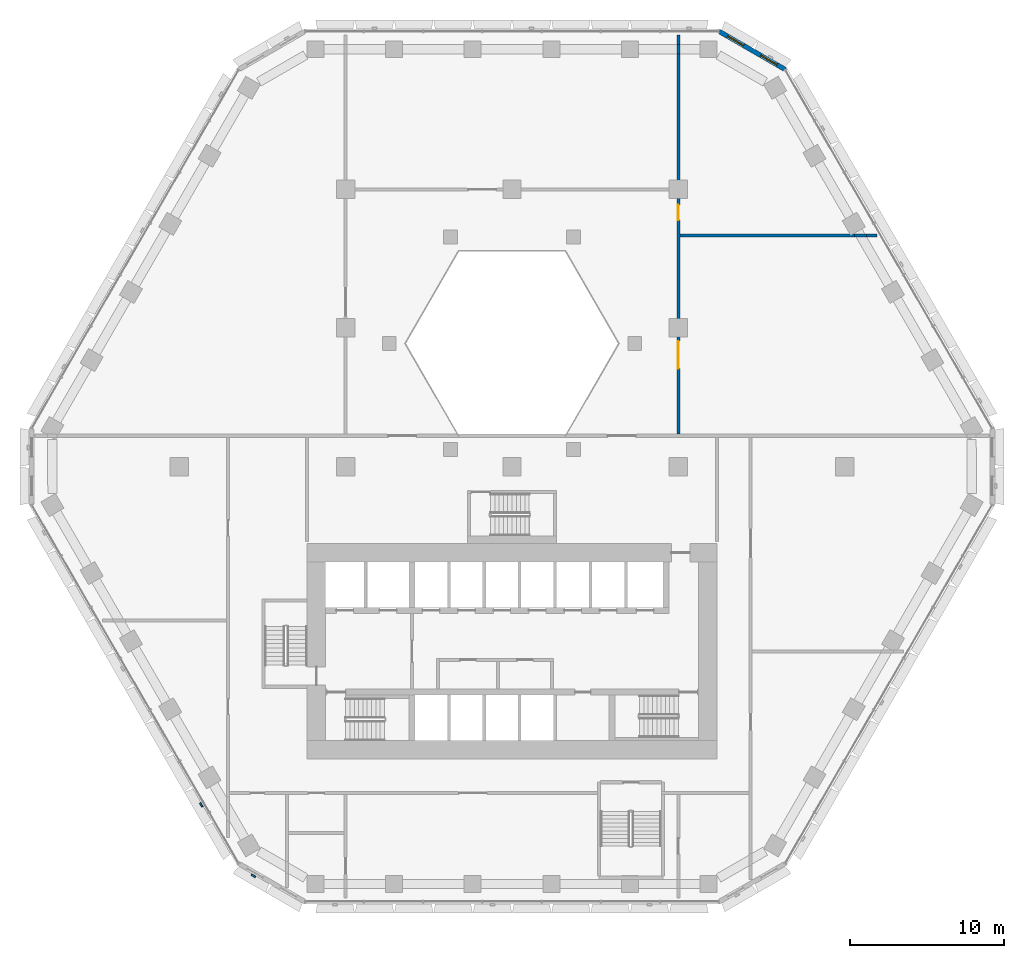
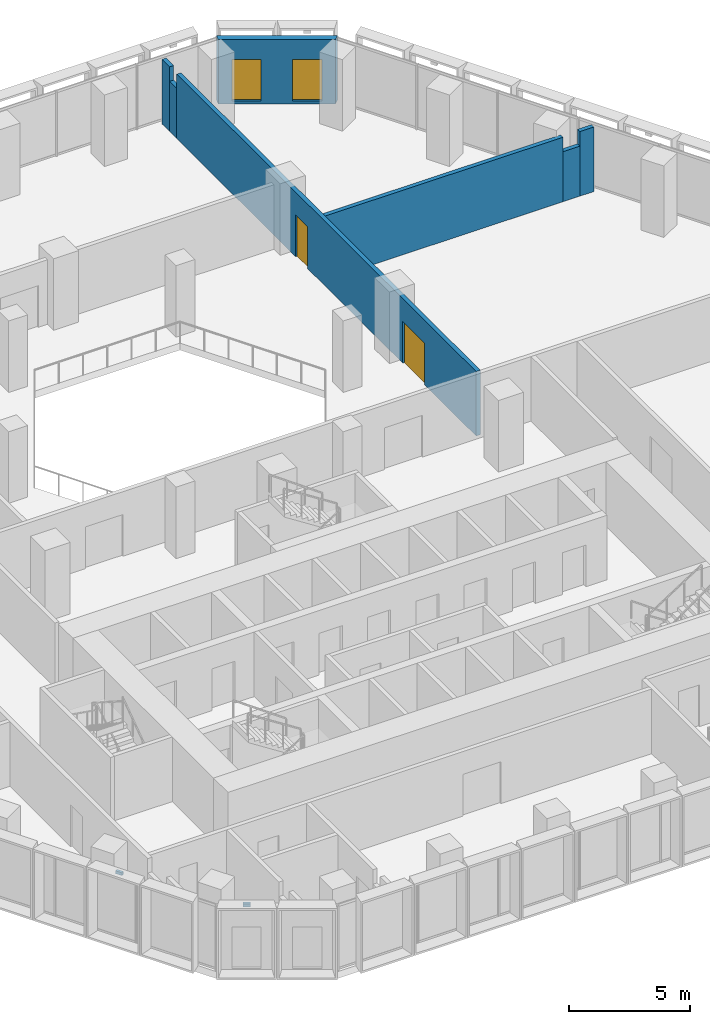
# One storey, part 14 of 25: 7 walls, 2 discrete accessories, 2 doors, 2 windows, 4 openings.
"""IFC4 building model written with IfcOpenShell, lengths in metres."""

from ifc_helpers import new_model, si_unit, direction, frame, frame_2d, origin, place, context, subcontext, project, spatial, polyline, rectangle, outline, extrude, source, transform, mapped, material, layer, layer_set, type_object, type_shapes, element, fill, save


model = new_model("IFC4")

# Units and contexts
model_context = context("Model", 3, precision=1e-05, world=origin(), true_north=direction((0.0, 1.0)))
body_context = subcontext(model_context, "Body", "Model", "MODEL_VIEW")
ifc_project = project(units=[si_unit("LENGTHUNIT", "METRE"), si_unit("AREAUNIT", "SQUARE_METRE"), si_unit("VOLUMEUNIT", "CUBIC_METRE"), si_unit("PLANEANGLEUNIT", "RADIAN"), si_unit("MASSUNIT", "GRAM", prefix="KILO")], contexts=[model_context])

# Site, building, storey
site_placement = place(None, origin())
site = spatial("IfcSite", under=ifc_project, at=site_placement, CompositionType="ELEMENT")
building_placement = place(site_placement, origin())
building = spatial("IfcBuilding", under=site, at=building_placement, Name="Beryl Residences", CompositionType="ELEMENT")
storey_placement = place(building_placement, frame((0.0, 0.0, 16.199951171875)))
storey = spatial("IfcBuildingStorey", under=building, at=storey_placement, Name="L04", CompositionType="ELEMENT", Elevation=16.199951171875)

# Wall, openings, windows
ifc_material_1 = material(Name="Composite metal panel with mineral wool insulation")
ifc_layer_1 = layer(ifc_material_1, 0.300048828125)
ifc_layer_set_1 = layer_set([ifc_layer_1], Name="ES1 pale metal composite panel wall 300 mm")
wall_type_1 = type_object("IfcWallType", Name="ES1 pale metal composite panel wall 300 mm", PredefinedType="SOLIDWALL", material=ifc_layer_set_1)
wall_1_placement = place(storey_placement, frame((17.764892578125, 25.77001953125, 0.0), z_axis=(0.0, 0.0, 1.0), x_axis=(-0.866010750942, 0.50002537861, 0.0)))
wall_1 = element("IfcWall", 1, at=wall_1_placement, inside=storey, type_object=wall_type_1, Name="ES1 external wall L04 NE-N", PredefinedType="SOLIDWALL", context=body_context, shape_type="SweptSolid", body=[
    extrude(outline(polyline([(0.0, -0.14990234375), (4.999755859375, -0.14990234375), (4.91943359375, 0.14990234375), (0.080322265625, 0.14990234375), (0.0, -0.14990234375)])), origin(), (0.0, 0.0, 1.0), 3.25),
])
opening_1_placement = place(wall_1_placement, frame((0.64990234375, 0.0, 0.14990234375)))
opening_1 = element("IfcOpeningElement", 2, at=opening_1_placement, cuts=wall_1, Name="Opening W2", PredefinedType="OPENING", context=body_context, shape_type="SweptSolid", body=[
    extrude(rectangle(XDim=1.199951171875, YDim=2.10009765625, at=frame_2d((0.60009765625, 1.050048828125))), frame((0.0, 0.159912109375, 0.0), z_axis=(0.0, -1.0, 0.0), x_axis=(1.0, 0.0, 0.0)), (0.0, 0.0, 1.0), 0.320068359375),
])
opening_2_placement = place(wall_1_placement, frame((3.14990234375, 0.0, 0.14990234375)))
opening_2 = element("IfcOpeningElement", 3, at=opening_2_placement, cuts=wall_1, Name="Opening W2", PredefinedType="OPENING", context=body_context, shape_type="SweptSolid", body=[
    extrude(rectangle(XDim=1.199951171875, YDim=2.10009765625, at=frame_2d((0.60009765625, 1.050048828125))), frame((0.0, 0.159912109375, 0.0), z_axis=(0.0, -1.0, 0.0), x_axis=(1.0, 0.0, 0.0)), (0.0, 0.0, 1.0), 0.320068359375),
])
ifc_material_2 = material(Name="Aluminium and clear glass", Category="aluminium")
window_type = type_object("IfcWindowType", Name="W2 chamfer window 1200 x 2100 mm", PartitioningType="SINGLE_PANEL", PredefinedType="WINDOW", material=ifc_material_2)
window_1_placement = place(opening_1_placement, origin())
window_1 = element("IfcWindow", 4, at=window_1_placement, inside=storey, type_object=window_type, Name="W2 window L04 NE-N 1", OverallHeight=2.10009765625, OverallWidth=1.199951171875, PartitioningType="SINGLE_PANEL", PredefinedType="WINDOW", context=body_context, shape_type="SweptSolid", body=[
    extrude(rectangle(XDim=1.199951171875, YDim=2.10009765625, at=frame_2d((0.60009765625, 1.050048828125))), frame((0.0, 0.030029296875, 0.0), z_axis=(0.0, -1.0, 0.0), x_axis=(1.0, 0.0, 0.0)), (0.0, 0.0, 1.0), 0.06005859375),
])
fill(opening_1, window_1)
window_2_placement = place(opening_2_placement, origin())
window_2 = element("IfcWindow", 5, at=window_2_placement, inside=storey, type_object=window_type, Name="W2 window L04 NE-N 2", OverallHeight=2.10009765625, OverallWidth=1.199951171875, PartitioningType="SINGLE_PANEL", PredefinedType="WINDOW", context=body_context, shape_type="SweptSolid", body=[
    extrude(rectangle(XDim=1.199951171875, YDim=2.10009765625, at=frame_2d((0.60009765625, 1.050048828125))), frame((0.0, 0.030029296875, 0.0), z_axis=(0.0, -1.0, 0.0), x_axis=(1.0, 0.0, 0.0)), (0.0, 0.0, 1.0), 0.06005859375),
])
fill(opening_2, window_2)

# Walls
ifc_material_3 = material(Name="Double stud gypsum board wall")
ifc_layer_2 = layer(ifc_material_3, 0.199951171875)
ifc_layer_set_2 = layer_set([ifc_layer_2], Name="PT4 corridor wall 200 mm double stud")
wall_type_2 = type_object("IfcWallType", Name="PT4 corridor wall 200 mm double stud", PredefinedType="PARTITIONING", material=ifc_layer_set_2)
wall_2_placement = place(storey_placement, frame((10.89990234375, 15.0, 0.0), z_axis=(0.0, 0.0, 1.0), x_axis=(1.0, 0.0, 0.0)))
element("IfcWall", 6, at=wall_2_placement, inside=storey, type_object=wall_type_2, Name="Wall PT4 L04 013", PredefinedType="PARTITIONING", context=body_context, shape_type="SweptSolid", body=[
    extrude(rectangle(XDim=11.328125, YDim=0.199951171875, at=frame_2d((5.6640625, 0.0))), origin(), (0.0, 0.0, 1.0), 3.25),
])
wall_3_placement = place(storey_placement, frame((22.22802734375, 15.0, 0.0), z_axis=(0.0, 0.0, 1.0), x_axis=(1.0, 0.0, 0.0)))
element("IfcWall", 7, at=wall_3_placement, inside=storey, type_object=wall_type_2, Name="Wall PT4 L04 014", PredefinedType="PARTITIONING", context=body_context, shape_type="SweptSolid", body=[
    extrude(rectangle(XDim=0.80908203125, YDim=0.199951171875, at=frame_2d((0.404541015625, 0.0))), origin(), (0.0, 0.0, 1.0), 2.52001953125),
])
wall_4_placement = place(storey_placement, frame((23.037109375, 15.0, 0.0), z_axis=(0.0, 0.0, 1.0), x_axis=(1.0, 0.0, 0.0)))
element("IfcWall", 8, at=wall_4_placement, inside=storey, type_object=wall_type_2, Name="Wall PT4 L04 015", PredefinedType="PARTITIONING", context=body_context, shape_type="SweptSolid", body=[
    extrude(rectangle(XDim=0.656982421875, YDim=0.199951171875, at=frame_2d((0.32861328125, 0.0))), origin(), (0.0, 0.0, 1.0), 3.25),
])

# Wall, openings, doors
wall_5_placement = place(storey_placement, frame((10.800048828125, 2.10009765625, 0.0), z_axis=(0.0, 0.0, 1.0), x_axis=(0.0, 1.0, 0.0)))
wall_5 = element("IfcWall", 9, at=wall_5_placement, inside=storey, type_object=wall_type_2, Name="Wall PT4 L04 024", PredefinedType="PARTITIONING", context=body_context, shape_type="SweptSolid", body=[
    extrude(rectangle(XDim=24.699951171875, YDim=0.199951171875, at=frame_2d((12.35009765625, 0.0))), origin(), (0.0, 0.0, 1.0), 3.25),
])
opening_3_placement = place(wall_5_placement, frame((6.053955078125, 0.0, 0.0), z_axis=(0.0, 0.0, 1.0), x_axis=(-1.0, 0.0, 0.0)))
opening_3 = element("IfcOpeningElement", 10, at=opening_3_placement, cuts=wall_5, Name="Opening L04-10", PredefinedType="OPENING", context=body_context, shape_type="SweptSolid", body=[
    extrude(rectangle(XDim=1.800048828125, YDim=2.10009765625, at=frame_2d((0.89990234375, 1.050048828125))), frame((0.0, 0.10986328125, 0.0), z_axis=(0.0, -1.0, 0.0), x_axis=(1.0, 0.0, 0.0)), (0.0, 0.0, 1.0), 0.219970703125),
])
opening_4_placement = place(wall_5_placement, frame((14.89794921875, 0.0, 0.0), z_axis=(0.0, 0.0, 1.0), x_axis=(-1.0, 0.0, 0.0)))
opening_4 = element("IfcOpeningElement", 11, at=opening_4_placement, cuts=wall_5, Name="Opening L04-11", PredefinedType="OPENING", context=body_context, shape_type="SweptSolid", body=[
    extrude(rectangle(XDim=1.0, YDim=2.10009765625, at=frame_2d((0.5, 1.050048828125))), frame((0.0, 0.10986328125, 0.0), z_axis=(0.0, -1.0, 0.0), x_axis=(1.0, 0.0, 0.0)), (0.0, 0.0, 1.0), 0.219970703125),
])
ifc_material_4 = material(Name="Timber door leaf", Category="wood")
door_type_1 = type_object("IfcDoorType", Name="D20 corridor door 1800 x 2100 mm", OperationType="DOUBLE_DOOR_SINGLE_SWING", PredefinedType="DOOR", material=ifc_material_4)
door_1_placement = place(opening_3_placement, origin())
door_1 = element("IfcDoor", 12, at=door_1_placement, inside=storey, type_object=door_type_1, Name="Door L04-10 L04 001", OperationType="DOUBLE_DOOR_SINGLE_SWING", OverallHeight=2.10009765625, OverallWidth=1.800048828125, PredefinedType="DOOR", context=body_context, shape_type="SweptSolid", body=[
    extrude(rectangle(XDim=1.800048828125, YDim=2.10009765625, at=frame_2d((0.89990234375, 1.050048828125))), frame((0.0, 0.02490234375, 0.0), z_axis=(0.0, -1.0, 0.0), x_axis=(1.0, 0.0, 0.0)), (0.0, 0.0, 1.0), 0.050048828125),
])
fill(opening_3, door_1)
ifc_material_5 = material(Name="Timber door leaf", Category="wood")
door_type_2 = type_object("IfcDoorType", Name="D9 corridor door 1000 x 2100 mm", OperationType="SINGLE_SWING_LEFT", PredefinedType="DOOR", material=ifc_material_5)
door_2_placement = place(opening_4_placement, origin())
door_2 = element("IfcDoor", 13, at=door_2_placement, inside=storey, type_object=door_type_2, Name="Door L04-11 L04 001", OperationType="SINGLE_SWING_RIGHT", OverallHeight=2.10009765625, OverallWidth=1.0, PredefinedType="DOOR", context=body_context, shape_type="SweptSolid", body=[
    extrude(rectangle(XDim=1.0, YDim=2.10009765625, at=frame_2d((0.5, 1.050048828125))), frame((0.0, 0.02490234375, 0.0), z_axis=(0.0, -1.0, 0.0), x_axis=(1.0, 0.0, 0.0)), (0.0, 0.0, 1.0), 0.050048828125),
])
fill(opening_4, door_2)

# Walls
wall_6_placement = place(storey_placement, frame((10.800048828125, 26.800048828125, 0.0), z_axis=(0.0, 0.0, 1.0), x_axis=(0.0, 1.0, 0.0)))
element("IfcWall", 14, at=wall_6_placement, inside=storey, type_object=wall_type_2, Name="Wall PT4 L04 025", PredefinedType="PARTITIONING", context=body_context, shape_type="SweptSolid", body=[
    extrude(rectangle(XDim=0.599853515625, YDim=0.199951171875, at=frame_2d((0.2998046875, 0.0))), origin(), (0.0, 0.0, 1.0), 2.52001953125),
])
wall_7_placement = place(storey_placement, frame((10.800048828125, 27.39990234375, 0.0), z_axis=(0.0, 0.0, 1.0), x_axis=(0.0, 1.0, 0.0)))
element("IfcWall", 15, at=wall_7_placement, inside=storey, type_object=wall_type_2, Name="Wall PT4 L04 026", PredefinedType="PARTITIONING", context=body_context, shape_type="SweptSolid", body=[
    extrude(rectangle(XDim=0.6201171875, YDim=0.199951171875, at=frame_2d((0.31005859375, 0.0))), origin(), (0.0, 0.0, 1.0), 3.25),
])

# Discrete accessories
ifc_material_6 = material(Name="Steel S355", Category="steel")
discrete_accessory_type = type_object("IfcDiscreteAccessoryType", Name="BR1 frame bracket 300 x 120 x 150 mm", PredefinedType="BRACKET", material=ifc_material_6)
shared_shape = source(origin(), body_context, "Body", "SweptSolid", [
    extrude(outline(polyline([(-0.14990234375, 0.0), (0.14990234375, 0.0), (0.14990234375, 0.1201171875), (-0.14990234375, 0.1201171875), (-0.14990234375, 0.0)])), origin(), (0.0, 0.0, 1.0), 0.14990234375),
])
type_shapes(discrete_accessory_type, [shared_shape])
for number, where, z_axis, x_axis, name in (
    (16, (-20.12890625, -21.93603515625, 3.35009765625), (0.0, 0.0, 1.0), (-0.5, 0.866025403784, 0.0), "BR1 bracket L04 SW 9"),
    (17, (-16.758056640625, -26.52490234375, 3.35009765625), (0.0, 0.0, 1.0), (-0.866025403784, 0.5, 0.0), "BR1 bracket L04 SW-S 1"),
):
    element("IfcDiscreteAccessory", number, at=place(storey_placement, frame(where, z_axis=z_axis, x_axis=x_axis)), inside=storey, type_object=discrete_accessory_type, Name=name, PredefinedType="BRACKET", context=body_context, shape_type="MappedRepresentation", body=[
        mapped(shared_shape, transform((0.0, 0.0, 0.0))),
    ])

save(model, "model.ifc")
